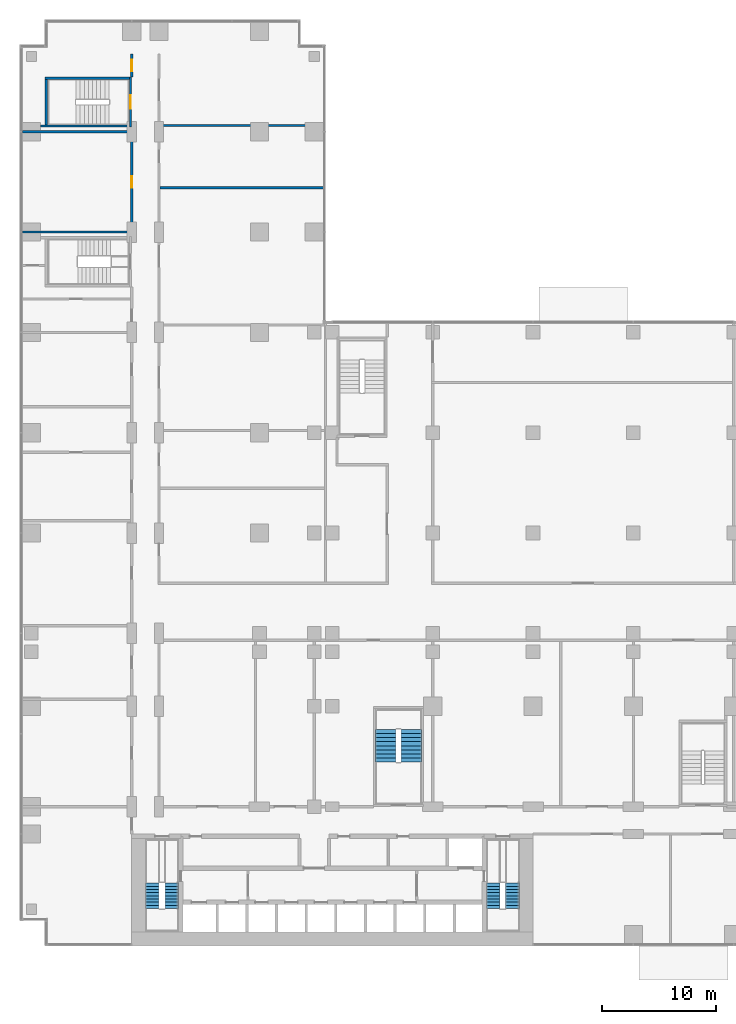
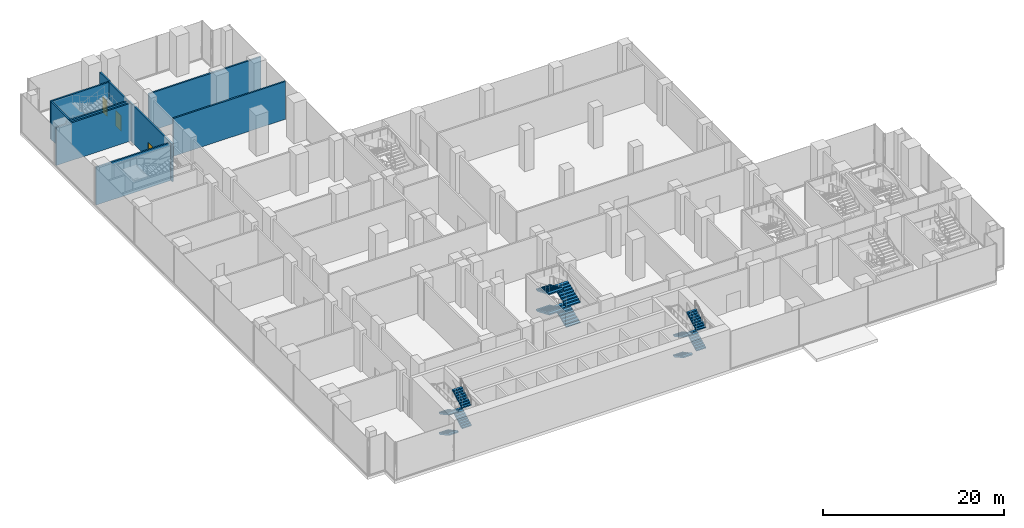
# One storey, part 22 of 30: 12 stair flights, 10 walls, 3 doors, 3 openings, 3 elements without a shape of their own.
"""IFC4 building model written with IfcOpenShell, lengths in metres."""

from ifc_helpers import new_model, si_unit, direction, frame, frame_2d, origin, place, context, subcontext, project, spatial, polyline, rectangle, outline, extrude, material, layer, layer_set, type_object, element, fill, aggregate, save


model = new_model("IFC4")

# Units and contexts
model_context = context("Model", 3, precision=1e-05, world=origin(), true_north=direction((0.0, 1.0)))
body_context = subcontext(model_context, "Body", "Model", "MODEL_VIEW")
ifc_project = project(units=[si_unit("LENGTHUNIT", "METRE"), si_unit("AREAUNIT", "SQUARE_METRE"), si_unit("VOLUMEUNIT", "CUBIC_METRE"), si_unit("PLANEANGLEUNIT", "RADIAN"), si_unit("MASSUNIT", "GRAM", prefix="KILO")], contexts=[model_context])

# Site, building, storey
site_placement = place(None, origin())
site = spatial("IfcSite", under=ifc_project, at=site_placement, CompositionType="ELEMENT")
building_placement = place(site_placement, origin())
building = spatial("IfcBuilding", under=site, at=building_placement, Name="Kemantara Hotel Tower", CompositionType="ELEMENT")
storey_placement = place(building_placement, frame((0.0, 0.0, 7.5)))
storey = spatial("IfcBuildingStorey", under=building, at=storey_placement, Name="L01", CompositionType="ELEMENT", Elevation=7.5)

# Wall, opening, door
ifc_material_1 = material(Name="Concrete fc 40 MPa", Category="concrete")
ifc_layer_1 = layer(ifc_material_1, 0.199951171875)
ifc_layer_set_1 = layer_set([ifc_layer_1], Name="Concrete fc 40 MPa")
wall_type_1 = type_object("IfcWallType", Name="Concrete stair wall 200 mm", PredefinedType="SHEAR", material=ifc_layer_set_1)
wall_1_placement = place(storey_placement, frame((9.699951171875, 71.800048828125, 0.0), z_axis=(0.0, 0.0, 1.0), x_axis=(0.0, 1.0, 0.0)))
wall_1 = element("IfcWall", 1, at=wall_1_placement, inside=storey, type_object=wall_type_1, Name="Stair ST6 enclosure wall with door", PredefinedType="SHEAR", context=body_context, shape_type="SweptSolid", body=[
    extrude(rectangle(XDim=4.39990234375, YDim=0.199951171875, at=frame_2d((2.199951171875, 0.0))), origin(), (0.0, 0.0, 1.0), 5.10009765625),
])
opening_1_placement = place(wall_1_placement, frame((1.60009765625, 0.0, 0.0)))
opening_1 = element("IfcOpeningElement", 2, at=opening_1_placement, cuts=wall_1, Name="Opening ST6-C", PredefinedType="OPENING", context=body_context, shape_type="SweptSolid", body=[
    extrude(rectangle(XDim=1.199951171875, YDim=2.10009765625, at=frame_2d((0.60009765625, 1.050048828125))), frame((0.0, 0.10986328125, 0.0), z_axis=(0.0, -1.0, 0.0), x_axis=(1.0, 0.0, 0.0)), (0.0, 0.0, 1.0), 0.219970703125),
])
ifc_material_2 = material(Name="Steel fire door", Category="steel")
door_type_1 = type_object("IfcDoorType", Name="Fire door FD90 1200 x 2100", OperationType="NOTDEFINED", PredefinedType="DOOR", material=ifc_material_2)
door_1_placement = place(opening_1_placement, origin())
door_1 = element("IfcDoor", 3, at=door_1_placement, inside=storey, type_object=door_type_1, Name="Stair ST6 door", OperationType="SINGLE_SWING_RIGHT", OverallHeight=2.10009765625, OverallWidth=1.199951171875, PredefinedType="DOOR", context=body_context, shape_type="SweptSolid", body=[
    extrude(rectangle(XDim=1.199951171875, YDim=2.10009765625, at=frame_2d((0.60009765625, 1.050048828125))), frame((0.0, 0.02490234375, 0.0), z_axis=(0.0, -1.0, 0.0), x_axis=(1.0, 0.0, 0.0)), (0.0, 0.0, 1.0), 0.050048828125),
])
fill(opening_1, door_1)

# Walls
wall_2_placement = place(storey_placement, frame((2.199951171875, 76.10009765625, 0.0), z_axis=(0.0, 0.0, 1.0), x_axis=(1.0, 0.0, 0.0)))
element("IfcWall", 4, at=wall_2_placement, inside=storey, type_object=wall_type_1, Name="Stair ST6 enclosure wall N", PredefinedType="SHEAR", context=body_context, shape_type="SweptSolid", body=[
    extrude(rectangle(XDim=7.400146484375, YDim=0.199951171875, at=frame_2d((3.7001953125, 0.0))), origin(), (0.0, 0.0, 1.0), 5.10009765625),
])
wall_3_placement = place(storey_placement, frame((1.800048828125, 71.89990234375, 0.0), z_axis=(0.0, 0.0, 1.0), x_axis=(1.0, 0.0, 0.0)))
element("IfcWall", 5, at=wall_3_placement, inside=storey, type_object=wall_type_1, Name="Stair ST6 enclosure wall S", PredefinedType="SHEAR", context=body_context, shape_type="SweptSolid", body=[
    extrude(rectangle(XDim=7.800048828125, YDim=0.199951171875, at=frame_2d((3.89990234375, 0.0))), origin(), (0.0, 0.0, 1.0), 5.10009765625),
])
wall_4_placement = place(storey_placement, frame((2.300048828125, 72.0, 0.0), z_axis=(0.0, 0.0, 1.0), x_axis=(0.0, 1.0, 0.0)))
element("IfcWall", 6, at=wall_4_placement, inside=storey, type_object=wall_type_1, Name="Stair ST6 enclosure wall W", PredefinedType="SHEAR", context=body_context, shape_type="SweptSolid", body=[
    extrude(rectangle(XDim=4.0, YDim=0.199951171875, at=frame_2d((2.0, 0.0))), origin(), (0.0, 0.0, 1.0), 5.10009765625),
])

# Wall, opening, door
ifc_material_3 = material(Name="Fire-rated gypsum board partition")
ifc_layer_2 = layer(ifc_material_3, 0.199951171875)
ifc_layer_set_2 = layer_set([ifc_layer_2], Name="Fire-rated gypsum board partition")
wall_type_2 = type_object("IfcWallType", Name="FIRE-RATED GYPSUM PARTITION 200 EI 60", PredefinedType="PARTITIONING", material=ifc_layer_set_2)
wall_5_placement = place(storey_placement, frame((9.800048828125, 62.199951171875, 0.0), z_axis=(0.0, 0.0, 1.0), x_axis=(0.0, 1.0, 0.0)))
wall_5 = element("IfcWall", 7, at=wall_5_placement, inside=storey, type_object=wall_type_2, Name="FIRE-RATED PARTITION", PredefinedType="PARTITIONING", context=body_context, shape_type="SweptSolid", body=[
    extrude(rectangle(XDim=9.60009765625, YDim=0.199951171875, at=frame_2d((4.800048828125, 0.0))), origin(), (0.0, 0.0, 1.0), 5.10009765625),
])
opening_2_placement = place(wall_5_placement, frame((4.300048828125, 0.0, 0.0)))
opening_2 = element("IfcOpeningElement", 8, at=opening_2_placement, cuts=wall_5, Name="Opening L01-B014", PredefinedType="OPENING", context=body_context, shape_type="SweptSolid", body=[
    extrude(rectangle(XDim=1.0, YDim=2.10009765625, at=frame_2d((0.5, 1.050048828125))), frame((0.0, 0.10986328125, 0.0), z_axis=(0.0, -1.0, 0.0), x_axis=(1.0, 0.0, 0.0)), (0.0, 0.0, 1.0), 0.219970703125),
])
ifc_material_4 = material(Name="Timber veneer door leaf", Category="wood")
door_type_2 = type_object("IfcDoorType", Name="SINGLE LEAF TIMBER DOOR 1000 X 2100", OperationType="SINGLE_SWING_LEFT", PredefinedType="DOOR", material=ifc_material_4)
door_2_placement = place(opening_2_placement, origin())
door_2 = element("IfcDoor", 9, at=door_2_placement, inside=storey, type_object=door_type_2, Name="SINGLE LEAF TIMBER DOOR", OperationType="SINGLE_SWING_RIGHT", OverallHeight=2.10009765625, OverallWidth=1.0, PredefinedType="DOOR", context=body_context, shape_type="SweptSolid", body=[
    extrude(rectangle(XDim=1.0, YDim=2.10009765625, at=frame_2d((0.5, 1.050048828125))), frame((0.0, 0.02490234375, 0.0), z_axis=(0.0, -1.0, 0.0), x_axis=(1.0, 0.0, 0.0)), (0.0, 0.0, 1.0), 0.050048828125),
])
fill(opening_2, door_2)

wall_6_placement = place(storey_placement, frame((9.800048828125, 76.199951171875, 0.0), z_axis=(0.0, 0.0, 1.0), x_axis=(0.0, 1.0, 0.0)))
wall_6 = element("IfcWall", 10, at=wall_6_placement, inside=storey, type_object=wall_type_2, Name="FIRE-RATED PARTITION", PredefinedType="PARTITIONING", context=body_context, shape_type="SweptSolid", body=[
    extrude(rectangle(XDim=2.0, YDim=0.199951171875, at=frame_2d((1.0, 0.0))), origin(), (0.0, 0.0, 1.0), 5.10009765625),
])
opening_3_placement = place(wall_6_placement, frame((0.5, 0.0, 0.0)))
opening_3 = element("IfcOpeningElement", 11, at=opening_3_placement, cuts=wall_6, Name="Opening L01-B015", PredefinedType="OPENING", context=body_context, shape_type="SweptSolid", body=[
    extrude(rectangle(XDim=1.0, YDim=2.10009765625, at=frame_2d((0.5, 1.050048828125))), frame((0.0, 0.10986328125, 0.0), z_axis=(0.0, -1.0, 0.0), x_axis=(1.0, 0.0, 0.0)), (0.0, 0.0, 1.0), 0.219970703125),
])
door_3_placement = place(opening_3_placement, origin())
door_3 = element("IfcDoor", 12, at=door_3_placement, inside=storey, type_object=door_type_2, Name="SINGLE LEAF TIMBER DOOR", OperationType="SINGLE_SWING_RIGHT", OverallHeight=2.10009765625, OverallWidth=1.0, PredefinedType="DOOR", context=body_context, shape_type="SweptSolid", body=[
    extrude(rectangle(XDim=1.0, YDim=2.10009765625, at=frame_2d((0.5, 1.050048828125))), frame((0.0, 0.02490234375, 0.0), z_axis=(0.0, -1.0, 0.0), x_axis=(1.0, 0.0, 0.0)), (0.0, 0.0, 1.0), 0.050048828125),
])
fill(opening_3, door_3)

# Walls
ifc_material_5 = material(Name="Gypsum board partition")
ifc_layer_3 = layer(ifc_material_5, 0.199951171875)
ifc_layer_set_3 = layer_set([ifc_layer_3], Name="Gypsum board partition")
wall_type_3 = type_object("IfcWallType", Name="GYPSUM BOARD PARTITION 200", PredefinedType="PARTITIONING", material=ifc_layer_set_3)
for number, where, z_axis, x_axis, name in (
    (13, (0.199951171875, 62.60009765625, 0.0), (0.0, 0.0, 1.0), (1.0, 0.0, 0.0), "PARTITION"),
    (14, (0.199951171875, 71.39990234375, 0.0), (0.0, 0.0, 1.0), (1.0, 0.0, 0.0), "PARTITION"),
):
    element("IfcWall", number, at=place(storey_placement, frame(where, z_axis=z_axis, x_axis=x_axis)), inside=storey, type_object=wall_type_3, Name=name, PredefinedType="PARTITIONING", context=body_context, shape_type="SweptSolid", body=[
        extrude(rectangle(XDim=9.5, YDim=0.199951171875, at=frame_2d((4.75, 0.0))), origin(), (0.0, 0.0, 1.0), 5.10009765625),
    ])
for number, where, z_axis, x_axis, name in (
    (15, (12.300048828125, 66.47998046875, 0.0), (0.0, 0.0, 1.0), (1.0, 0.0, 0.0), "PARTITION"),
    (16, (12.300048828125, 71.949951171875, 0.0), (0.0, 0.0, 1.0), (1.0, 0.0, 0.0), "PARTITION"),
):
    element("IfcWall", number, at=place(storey_placement, frame(where, z_axis=z_axis, x_axis=x_axis)), inside=storey, type_object=wall_type_3, Name=name, PredefinedType="PARTITIONING", context=body_context, shape_type="SweptSolid", body=[
        extrude(rectangle(XDim=14.300048828125, YDim=0.199951171875, at=frame_2d((7.14990234375, 0.0))), origin(), (0.0, 0.0, 1.0), 5.10009765625),
    ])

# Stair, stair flights
stair_type_1 = type_object("IfcStairType", Name="Stair 1200 wide 36 risers of 153 x 280 mm", PredefinedType="HALF_TURN_STAIR", material=ifc_material_1)
stair_1_placement = place(storey_placement, origin())
stair_1 = element("IfcStair", 17, at=stair_1_placement, inside=storey, type_object=stair_type_1, Name="L01 Exit stair ST1", PredefinedType="HALF_TURN_STAIR")
stair_flight_type_1 = type_object("IfcStairFlightType", Name="Stair flight 1200 wide 153 x 280 mm", PredefinedType="STRAIGHT", material=ifc_material_1)
stair_flight_1_placement = place(storey_placement, frame((11.60009765625, 5.5, 0.0), z_axis=(0.0, 0.0, 1.0), x_axis=(0.0, -1.0, 0.0)))
stair_flight_1 = element("IfcStairFlight", 18, at=stair_flight_1_placement, type_object=stair_flight_type_1, Name="ST1 flight 1", NumberOfRisers=9, NumberOfTreads=8, PredefinedType="STRAIGHT", RiserHeight=0.152777778, TreadLength=0.28, context=body_context, shape_type="SweptSolid", body=[
    extrude(outline(polyline([(0.0, 0.0), (0.0, 0.15283203125), (0.280029296875, 0.15283203125), (0.280029296875, 0.3056640625), (0.56005859375, 0.3056640625), (0.56005859375, 0.458251953125), (0.840087890625, 0.458251953125), (0.840087890625, 0.611083984375), (1.1201171875, 0.611083984375), (1.1201171875, 0.763916015625), (1.39990234375, 0.763916015625), (1.39990234375, 0.916748046875), (1.679931640625, 0.916748046875), (1.679931640625, 1.0693359375), (1.9599609375, 1.0693359375), (1.9599609375, 1.22216796875), (2.239990234375, 1.22216796875), (2.239990234375, 1.375), (2.239990234375, 1.051513671875), (0.31298828125, 0.0), (0.0, 0.0)])), frame((0.0, 0.60009765625, 0.0), z_axis=(0.0, -1.0, 0.0), x_axis=(1.0, 0.0, 0.0)), (0.0, 0.0, 1.0), 1.199951171875),
])
stair_flight_2_placement = place(storey_placement, frame((13.300048828125, 3.260009765625, 1.375), z_axis=(0.0, 0.0, 1.0), x_axis=(0.0, 1.0, 0.0)))
stair_flight_2 = element("IfcStairFlight", 19, at=stair_flight_2_placement, type_object=stair_flight_type_1, Name="ST1 flight 2", NumberOfRisers=9, NumberOfTreads=8, PredefinedType="STRAIGHT", RiserHeight=0.152777778, TreadLength=0.28, context=body_context, shape_type="SweptSolid", body=[
    extrude(outline(polyline([(0.0, 0.0), (0.0, 0.15283203125), (0.280029296875, 0.15283203125), (0.280029296875, 0.3056640625), (0.56005859375, 0.3056640625), (0.56005859375, 0.458251953125), (0.840087890625, 0.458251953125), (0.840087890625, 0.611083984375), (1.1201171875, 0.611083984375), (1.1201171875, 0.763916015625), (1.39990234375, 0.763916015625), (1.39990234375, 0.916748046875), (1.679931640625, 0.916748046875), (1.679931640625, 1.0693359375), (1.9599609375, 1.0693359375), (1.9599609375, 1.22216796875), (2.239990234375, 1.22216796875), (2.239990234375, 1.375), (2.239990234375, 1.051513671875), (0.31298828125, 0.0), (0.0, 0.0)])), frame((0.0, 0.60009765625, 0.0), z_axis=(0.0, -1.0, 0.0), x_axis=(1.0, 0.0, 0.0)), (0.0, 0.0, 1.0), 1.199951171875),
])
stair_flight_3_placement = place(storey_placement, frame((11.60009765625, 5.5, 2.75), z_axis=(0.0, 0.0, 1.0), x_axis=(0.0, -1.0, 0.0)))
stair_flight_3 = element("IfcStairFlight", 20, at=stair_flight_3_placement, type_object=stair_flight_type_1, Name="ST1 flight 3", NumberOfRisers=9, NumberOfTreads=8, PredefinedType="STRAIGHT", RiserHeight=0.152777778, TreadLength=0.28, context=body_context, shape_type="SweptSolid", body=[
    extrude(outline(polyline([(0.0, 0.0), (0.0, 0.15283203125), (0.280029296875, 0.15283203125), (0.280029296875, 0.3056640625), (0.56005859375, 0.3056640625), (0.56005859375, 0.458251953125), (0.840087890625, 0.458251953125), (0.840087890625, 0.611083984375), (1.1201171875, 0.611083984375), (1.1201171875, 0.763916015625), (1.39990234375, 0.763916015625), (1.39990234375, 0.916748046875), (1.679931640625, 0.916748046875), (1.679931640625, 1.0693359375), (1.9599609375, 1.0693359375), (1.9599609375, 1.22216796875), (2.239990234375, 1.22216796875), (2.239990234375, 1.375), (2.239990234375, 1.051513671875), (0.31298828125, 0.0), (0.0, 0.0)])), frame((0.0, 0.60009765625, 0.0), z_axis=(0.0, -1.0, 0.0), x_axis=(1.0, 0.0, 0.0)), (0.0, 0.0, 1.0), 1.199951171875),
])
stair_flight_4_placement = place(storey_placement, frame((13.300048828125, 3.260009765625, 4.125), z_axis=(0.0, 0.0, 1.0), x_axis=(0.0, 1.0, 0.0)))
stair_flight_4 = element("IfcStairFlight", 21, at=stair_flight_4_placement, type_object=stair_flight_type_1, Name="ST1 flight 4", NumberOfRisers=9, NumberOfTreads=8, PredefinedType="STRAIGHT", RiserHeight=0.152777778, TreadLength=0.28, context=body_context, shape_type="SweptSolid", body=[
    extrude(outline(polyline([(0.0, 0.0), (0.0, 0.15283203125), (0.280029296875, 0.15283203125), (0.280029296875, 0.3056640625), (0.56005859375, 0.3056640625), (0.56005859375, 0.458251953125), (0.840087890625, 0.458251953125), (0.840087890625, 0.611083984375), (1.1201171875, 0.611083984375), (1.1201171875, 0.763916015625), (1.39990234375, 0.763916015625), (1.39990234375, 0.916748046875), (1.679931640625, 0.916748046875), (1.679931640625, 1.0693359375), (1.9599609375, 1.0693359375), (1.9599609375, 1.22216796875), (2.239990234375, 1.22216796875), (2.239990234375, 1.375), (2.239990234375, 1.051513671875), (0.31298828125, 0.0), (0.0, 0.0)])), frame((0.0, 0.60009765625, 0.0), z_axis=(0.0, -1.0, 0.0), x_axis=(1.0, 0.0, 0.0)), (0.0, 0.0, 1.0), 1.199951171875),
])
aggregate(stair_1, [stair_flight_1, stair_flight_2, stair_flight_3, stair_flight_4])

stair_2_placement = place(storey_placement, origin())
stair_2 = element("IfcStair", 22, at=stair_2_placement, inside=storey, type_object=stair_type_1, Name="L01 Exit stair ST2", PredefinedType="HALF_TURN_STAIR")
stair_flight_5_placement = place(storey_placement, frame((41.5, 5.5, 0.0), z_axis=(0.0, 0.0, 1.0), x_axis=(0.0, -1.0, 0.0)))
stair_flight_5 = element("IfcStairFlight", 23, at=stair_flight_5_placement, type_object=stair_flight_type_1, Name="ST2 flight 1", NumberOfRisers=9, NumberOfTreads=8, PredefinedType="STRAIGHT", RiserHeight=0.152777778, TreadLength=0.28, context=body_context, shape_type="SweptSolid", body=[
    extrude(outline(polyline([(0.0, 0.0), (0.0, 0.15283203125), (0.280029296875, 0.15283203125), (0.280029296875, 0.3056640625), (0.56005859375, 0.3056640625), (0.56005859375, 0.458251953125), (0.840087890625, 0.458251953125), (0.840087890625, 0.611083984375), (1.1201171875, 0.611083984375), (1.1201171875, 0.763916015625), (1.39990234375, 0.763916015625), (1.39990234375, 0.916748046875), (1.679931640625, 0.916748046875), (1.679931640625, 1.0693359375), (1.9599609375, 1.0693359375), (1.9599609375, 1.22216796875), (2.239990234375, 1.22216796875), (2.239990234375, 1.375), (2.239990234375, 1.051513671875), (0.31298828125, 0.0), (0.0, 0.0)])), frame((0.0, 0.60009765625, 0.0), z_axis=(0.0, -1.0, 0.0), x_axis=(1.0, 0.0, 0.0)), (0.0, 0.0, 1.0), 1.199951171875),
])
stair_flight_6_placement = place(storey_placement, frame((43.199951171875, 3.260009765625, 1.375), z_axis=(0.0, 0.0, 1.0), x_axis=(0.0, 1.0, 0.0)))
stair_flight_6 = element("IfcStairFlight", 24, at=stair_flight_6_placement, type_object=stair_flight_type_1, Name="ST2 flight 2", NumberOfRisers=9, NumberOfTreads=8, PredefinedType="STRAIGHT", RiserHeight=0.152777778, TreadLength=0.28, context=body_context, shape_type="SweptSolid", body=[
    extrude(outline(polyline([(0.0, 0.0), (0.0, 0.15283203125), (0.280029296875, 0.15283203125), (0.280029296875, 0.3056640625), (0.56005859375, 0.3056640625), (0.56005859375, 0.458251953125), (0.840087890625, 0.458251953125), (0.840087890625, 0.611083984375), (1.1201171875, 0.611083984375), (1.1201171875, 0.763916015625), (1.39990234375, 0.763916015625), (1.39990234375, 0.916748046875), (1.679931640625, 0.916748046875), (1.679931640625, 1.0693359375), (1.9599609375, 1.0693359375), (1.9599609375, 1.22216796875), (2.239990234375, 1.22216796875), (2.239990234375, 1.375), (2.239990234375, 1.051513671875), (0.31298828125, 0.0), (0.0, 0.0)])), frame((0.0, 0.60009765625, 0.0), z_axis=(0.0, -1.0, 0.0), x_axis=(1.0, 0.0, 0.0)), (0.0, 0.0, 1.0), 1.199951171875),
])
stair_flight_7_placement = place(storey_placement, frame((41.5, 5.5, 2.75), z_axis=(0.0, 0.0, 1.0), x_axis=(0.0, -1.0, 0.0)))
stair_flight_7 = element("IfcStairFlight", 25, at=stair_flight_7_placement, type_object=stair_flight_type_1, Name="ST2 flight 3", NumberOfRisers=9, NumberOfTreads=8, PredefinedType="STRAIGHT", RiserHeight=0.152777778, TreadLength=0.28, context=body_context, shape_type="SweptSolid", body=[
    extrude(outline(polyline([(0.0, 0.0), (0.0, 0.15283203125), (0.280029296875, 0.15283203125), (0.280029296875, 0.3056640625), (0.56005859375, 0.3056640625), (0.56005859375, 0.458251953125), (0.840087890625, 0.458251953125), (0.840087890625, 0.611083984375), (1.1201171875, 0.611083984375), (1.1201171875, 0.763916015625), (1.39990234375, 0.763916015625), (1.39990234375, 0.916748046875), (1.679931640625, 0.916748046875), (1.679931640625, 1.0693359375), (1.9599609375, 1.0693359375), (1.9599609375, 1.22216796875), (2.239990234375, 1.22216796875), (2.239990234375, 1.375), (2.239990234375, 1.051513671875), (0.31298828125, 0.0), (0.0, 0.0)])), frame((0.0, 0.60009765625, 0.0), z_axis=(0.0, -1.0, 0.0), x_axis=(1.0, 0.0, 0.0)), (0.0, 0.0, 1.0), 1.199951171875),
])
stair_flight_8_placement = place(storey_placement, frame((43.199951171875, 3.260009765625, 4.125), z_axis=(0.0, 0.0, 1.0), x_axis=(0.0, 1.0, 0.0)))
stair_flight_8 = element("IfcStairFlight", 26, at=stair_flight_8_placement, type_object=stair_flight_type_1, Name="ST2 flight 4", NumberOfRisers=9, NumberOfTreads=8, PredefinedType="STRAIGHT", RiserHeight=0.152777778, TreadLength=0.28, context=body_context, shape_type="SweptSolid", body=[
    extrude(outline(polyline([(0.0, 0.0), (0.0, 0.15283203125), (0.280029296875, 0.15283203125), (0.280029296875, 0.3056640625), (0.56005859375, 0.3056640625), (0.56005859375, 0.458251953125), (0.840087890625, 0.458251953125), (0.840087890625, 0.611083984375), (1.1201171875, 0.611083984375), (1.1201171875, 0.763916015625), (1.39990234375, 0.763916015625), (1.39990234375, 0.916748046875), (1.679931640625, 0.916748046875), (1.679931640625, 1.0693359375), (1.9599609375, 1.0693359375), (1.9599609375, 1.22216796875), (2.239990234375, 1.22216796875), (2.239990234375, 1.375), (2.239990234375, 1.051513671875), (0.31298828125, 0.0), (0.0, 0.0)])), frame((0.0, 0.60009765625, 0.0), z_axis=(0.0, -1.0, 0.0), x_axis=(1.0, 0.0, 0.0)), (0.0, 0.0, 1.0), 1.199951171875),
])
aggregate(stair_2, [stair_flight_5, stair_flight_6, stair_flight_7, stair_flight_8])

stair_type_2 = type_object("IfcStairType", Name="Stair 1800 wide 36 risers of 153 x 360 mm", PredefinedType="HALF_TURN_STAIR", material=ifc_material_1)
stair_3_placement = place(storey_placement, origin())
stair_3 = element("IfcStair", 27, at=stair_3_placement, inside=storey, type_object=stair_type_2, Name="L01 Stair PS3", PredefinedType="HALF_TURN_STAIR")
stair_flight_type_2 = type_object("IfcStairFlightType", Name="Stair flight 1800 wide 153 x 360 mm", PredefinedType="STRAIGHT", material=ifc_material_1)
stair_flight_9_placement = place(storey_placement, frame((34.300048828125, 16.10009765625, 0.0), z_axis=(0.0, 0.0, 1.0), x_axis=(0.0, 1.0, 0.0)))
stair_flight_9 = element("IfcStairFlight", 28, at=stair_flight_9_placement, type_object=stair_flight_type_2, Name="PS3 flight 1", NumberOfRisers=9, NumberOfTreads=8, PredefinedType="STRAIGHT", RiserHeight=0.152777778, TreadLength=0.36, context=body_context, shape_type="SweptSolid", body=[
    extrude(outline(polyline([(0.0, 0.0), (0.0, 0.15283203125), (0.360107421875, 0.15283203125), (0.360107421875, 0.3056640625), (0.719970703125, 0.3056640625), (0.719970703125, 0.458251953125), (1.080078125, 0.458251953125), (1.080078125, 0.611083984375), (1.43994140625, 0.611083984375), (1.43994140625, 0.763916015625), (1.800048828125, 0.763916015625), (1.800048828125, 0.916748046875), (2.159912109375, 0.916748046875), (2.159912109375, 1.0693359375), (2.52001953125, 1.0693359375), (2.52001953125, 1.22216796875), (2.8798828125, 1.22216796875), (2.8798828125, 1.375), (2.8798828125, 1.059326171875), (0.3837890625, 0.0), (0.0, 0.0)])), frame((0.0, 0.89990234375, 0.0), z_axis=(0.0, -1.0, 0.0), x_axis=(1.0, 0.0, 0.0)), (0.0, 0.0, 1.0), 1.800048828125),
])
stair_flight_10_placement = place(storey_placement, frame((32.10009765625, 18.97998046875, 1.375), z_axis=(0.0, 0.0, 1.0), x_axis=(0.0, -1.0, 0.0)))
stair_flight_10 = element("IfcStairFlight", 29, at=stair_flight_10_placement, type_object=stair_flight_type_2, Name="PS3 flight 2", NumberOfRisers=9, NumberOfTreads=8, PredefinedType="STRAIGHT", RiserHeight=0.152777778, TreadLength=0.36, context=body_context, shape_type="SweptSolid", body=[
    extrude(outline(polyline([(0.0, 0.0), (0.0, 0.15283203125), (0.360107421875, 0.15283203125), (0.360107421875, 0.3056640625), (0.719970703125, 0.3056640625), (0.719970703125, 0.458251953125), (1.080078125, 0.458251953125), (1.080078125, 0.611083984375), (1.43994140625, 0.611083984375), (1.43994140625, 0.763916015625), (1.800048828125, 0.763916015625), (1.800048828125, 0.916748046875), (2.159912109375, 0.916748046875), (2.159912109375, 1.0693359375), (2.52001953125, 1.0693359375), (2.52001953125, 1.22216796875), (2.8798828125, 1.22216796875), (2.8798828125, 1.375), (2.8798828125, 1.059326171875), (0.3837890625, 0.0), (0.0, 0.0)])), frame((0.0, 0.89990234375, 0.0), z_axis=(0.0, -1.0, 0.0), x_axis=(1.0, 0.0, 0.0)), (0.0, 0.0, 1.0), 1.800048828125),
])
stair_flight_11_placement = place(storey_placement, frame((34.300048828125, 16.10009765625, 2.75), z_axis=(0.0, 0.0, 1.0), x_axis=(0.0, 1.0, 0.0)))
stair_flight_11 = element("IfcStairFlight", 30, at=stair_flight_11_placement, type_object=stair_flight_type_2, Name="PS3 flight 3", NumberOfRisers=9, NumberOfTreads=8, PredefinedType="STRAIGHT", RiserHeight=0.152777778, TreadLength=0.36, context=body_context, shape_type="SweptSolid", body=[
    extrude(outline(polyline([(0.0, 0.0), (0.0, 0.15283203125), (0.360107421875, 0.15283203125), (0.360107421875, 0.3056640625), (0.719970703125, 0.3056640625), (0.719970703125, 0.458251953125), (1.080078125, 0.458251953125), (1.080078125, 0.611083984375), (1.43994140625, 0.611083984375), (1.43994140625, 0.763916015625), (1.800048828125, 0.763916015625), (1.800048828125, 0.916748046875), (2.159912109375, 0.916748046875), (2.159912109375, 1.0693359375), (2.52001953125, 1.0693359375), (2.52001953125, 1.22216796875), (2.8798828125, 1.22216796875), (2.8798828125, 1.375), (2.8798828125, 1.059326171875), (0.3837890625, 0.0), (0.0, 0.0)])), frame((0.0, 0.89990234375, 0.0), z_axis=(0.0, -1.0, 0.0), x_axis=(1.0, 0.0, 0.0)), (0.0, 0.0, 1.0), 1.800048828125),
])
stair_flight_12_placement = place(storey_placement, frame((32.10009765625, 18.97998046875, 4.125), z_axis=(0.0, 0.0, 1.0), x_axis=(0.0, -1.0, 0.0)))
stair_flight_12 = element("IfcStairFlight", 31, at=stair_flight_12_placement, type_object=stair_flight_type_2, Name="PS3 flight 4", NumberOfRisers=9, NumberOfTreads=8, PredefinedType="STRAIGHT", RiserHeight=0.152777778, TreadLength=0.36, context=body_context, shape_type="SweptSolid", body=[
    extrude(outline(polyline([(0.0, 0.0), (0.0, 0.15283203125), (0.360107421875, 0.15283203125), (0.360107421875, 0.3056640625), (0.719970703125, 0.3056640625), (0.719970703125, 0.458251953125), (1.080078125, 0.458251953125), (1.080078125, 0.611083984375), (1.43994140625, 0.611083984375), (1.43994140625, 0.763916015625), (1.800048828125, 0.763916015625), (1.800048828125, 0.916748046875), (2.159912109375, 0.916748046875), (2.159912109375, 1.0693359375), (2.52001953125, 1.0693359375), (2.52001953125, 1.22216796875), (2.8798828125, 1.22216796875), (2.8798828125, 1.375), (2.8798828125, 1.059326171875), (0.3837890625, 0.0), (0.0, 0.0)])), frame((0.0, 0.89990234375, 0.0), z_axis=(0.0, -1.0, 0.0), x_axis=(1.0, 0.0, 0.0)), (0.0, 0.0, 1.0), 1.800048828125),
])
aggregate(stair_3, [stair_flight_9, stair_flight_10, stair_flight_11, stair_flight_12])

save(model, "model.ifc")
